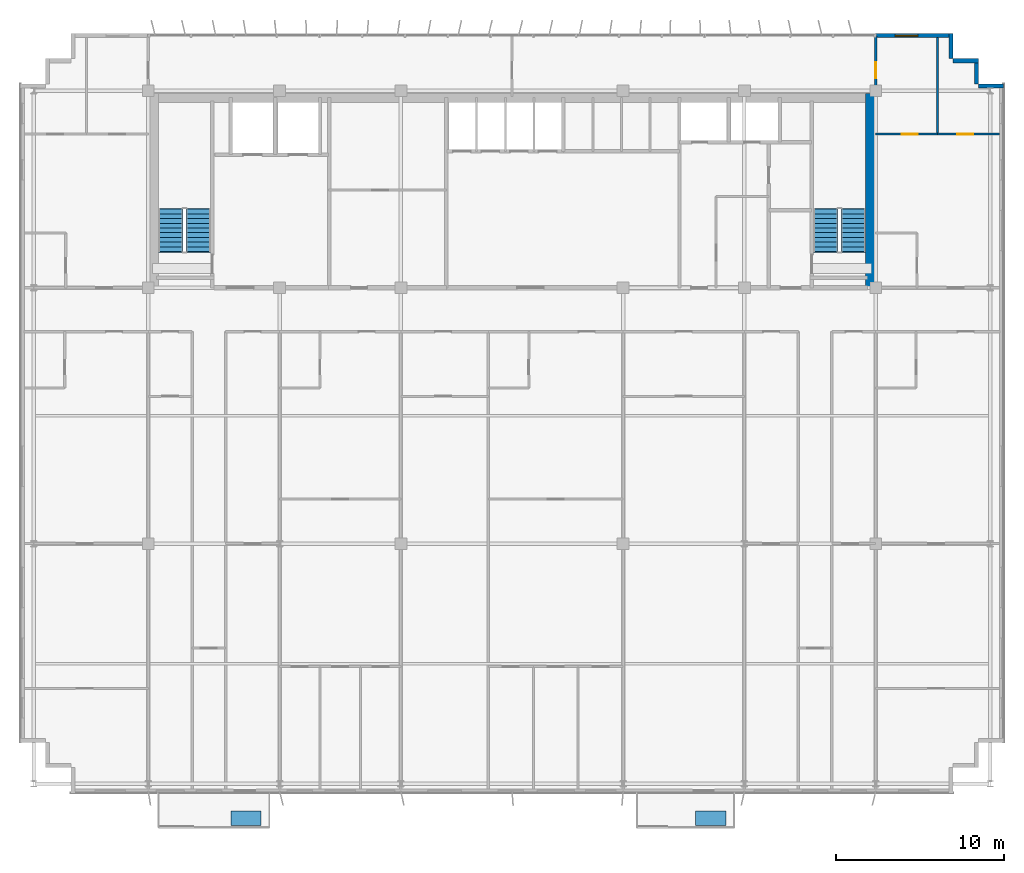
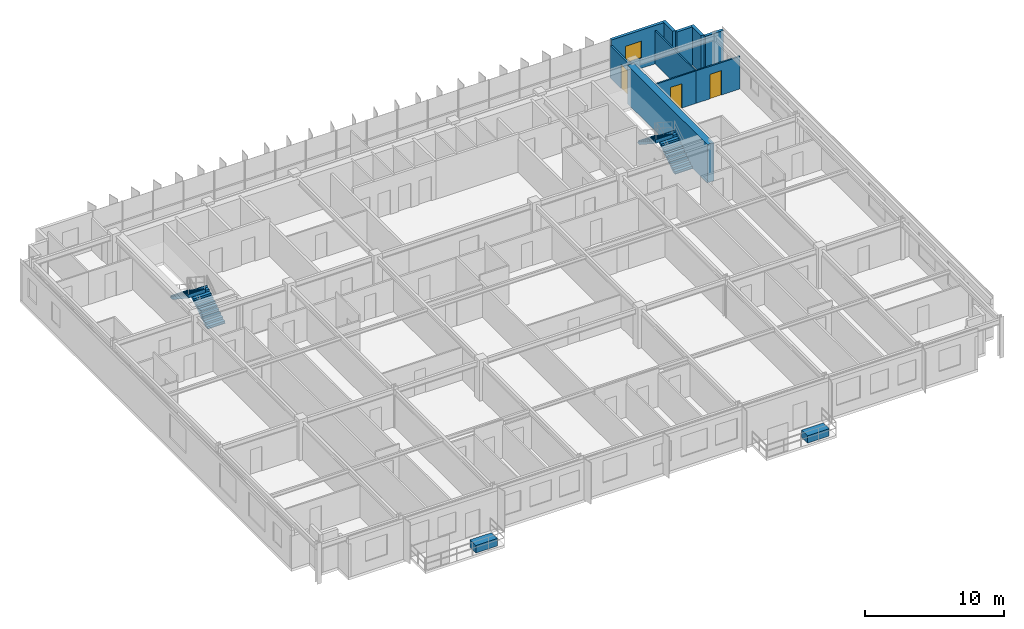
# One storey, part 21 of 23: 10 walls, 4 stair flights, 3 doors, 2 discrete accessories, 1 window, 4 openings, 2 elements without a shape of their own.
"""IFC4 building model written with IfcOpenShell, lengths in metres."""

from ifc_helpers import new_model, si_unit, direction, frame, frame_2d, origin, origin_2d, place, context, subcontext, project, spatial, polyline, rectangle, outline, extrude, source, transform, mapped, material, layer, layer_set, type_object, element, fill, aggregate, save


model = new_model("IFC4")

# Units and contexts
model_context = context("Model", 3, precision=1e-05, world=origin(), true_north=direction((0.0, 1.0)))
body_context = subcontext(model_context, "Body", "Model", "MODEL_VIEW")
ifc_project = project(units=[si_unit("LENGTHUNIT", "METRE"), si_unit("AREAUNIT", "SQUARE_METRE"), si_unit("VOLUMEUNIT", "CUBIC_METRE"), si_unit("PLANEANGLEUNIT", "RADIAN"), si_unit("MASSUNIT", "GRAM", prefix="KILO")], contexts=[model_context])

# Site, building, storey
site_placement = place(None, origin())
site = spatial("IfcSite", under=ifc_project, at=site_placement, CompositionType="ELEMENT")
building_placement = place(site_placement, origin())
building = spatial("IfcBuilding", under=site, at=building_placement, Name="Trelvane Seafront Commons", CompositionType="ELEMENT")
storey_placement = place(building_placement, frame((0.0, 0.0, 212.10009765625)))
storey = spatial("IfcBuildingStorey", under=building, at=storey_placement, Name="L55", CompositionType="ELEMENT", Elevation=212.10009765625)

# Wall, opening, window
ifc_material_1 = material(Name="Precast concrete C40/50", Category="concrete")
ifc_layer_1 = layer(ifc_material_1, 0.239990234375, Name="ARCH-WALL-EXT240")
ifc_layer_set_1 = layer_set([ifc_layer_1], Name="Precast concrete C40/50")
wall_type_1 = type_object("IfcWallType", Name="ARCH-WALL-EXT240", PredefinedType="SOLIDWALL", material=ifc_layer_set_1)
wall_1_placement = place(storey_placement, frame((58.800048828125, 48.3701171875, 0.0), z_axis=(0.0, 0.0, 1.0), x_axis=(1.0, 0.0, 0.0)))
wall_1 = element("IfcWall", 1, at=wall_1_placement, inside=storey, type_object=wall_type_1, Name="EW-L55-NE-1100", PredefinedType="SOLIDWALL", context=body_context, shape_type="SweptSolid", body=[
    extrude(rectangle(XDim=4.5, YDim=0.239990234375, at=frame_2d((2.25, 0.0))), origin(), (0.0, 0.0, 1.0), 3.35986328125),
])
opening_1_placement = place(wall_1_placement, frame((1.14697265625, 0.0, 0.89990234375)))
opening_1 = element("IfcOpeningElement", 2, at=opening_1_placement, cuts=wall_1, Name="Opening W09", PredefinedType="OPENING", context=body_context, shape_type="SweptSolid", body=[
    extrude(rectangle(XDim=1.35009765625, YDim=1.5, at=frame_2d((0.675048828125, 0.75))), frame((0.0, 0.1298828125, 0.0), z_axis=(0.0, -1.0, 0.0), x_axis=(1.0, 0.0, 0.0)), (0.0, 0.0, 1.0), 0.260009765625),
])
ifc_material_2 = material(Name="Low-E coastal double glazing", Category="glass")
window_type = type_object("IfcWindowType", Name="ARCH-WIN-W09", PartitioningType="SINGLE_PANEL", PredefinedType="WINDOW", material=ifc_material_2)
shared_shape_1 = source(origin(), body_context, "Body", "SweptSolid", [
    extrude(rectangle(XDim=1.35009765625, YDim=1.5, at=frame_2d((0.675048828125, 0.75))), frame((0.0, 0.030029296875, 0.0), z_axis=(0.0, -1.0, 0.0), x_axis=(1.0, 0.0, 0.0)), (0.0, 0.0, 1.0), 0.06005859375),
])
window_placement = place(opening_1_placement, origin())
window = element("IfcWindow", 3, at=window_placement, inside=storey, type_object=window_type, Name="WIN-L55-01330", OverallHeight=1.5, OverallWidth=1.35009765625, PartitioningType="SINGLE_PANEL", PredefinedType="WINDOW", context=body_context, shape_type="MappedRepresentation", body=[
    mapped(shared_shape_1, transform((0.0, 0.0, 0.0), x_axis=(1.0, 0.0, 0.0), y_axis=(0.0, 1.0, 0.0), z_axis=(0.0, 0.0, 1.0), scale=1.0)),
])
fill(opening_1, window)

# Walls
for number, where, z_axis, x_axis, name in (
    (4, (63.280029296875, 48.5, 0.0), (0.0, 0.0, 1.0), (0.0, -1.0, 0.0), "EW-L55-01109"),
    (5, (63.39990234375, 46.8798828125, 0.0), (0.0, 0.0, 1.0), (1.0, 0.0, 0.0), "EW-L55-01110"),
    (6, (64.780029296875, 47.0, 0.0), (0.0, 0.0, 1.0), (0.0, -1.0, 0.0), "EW-L55-01111"),
    (7, (64.89990234375, 45.3798828125, 0.0), (0.0, 0.0, 1.0), (1.0, 0.0, 0.0), "EW-L55-01112"),
):
    element("IfcWall", number, at=place(storey_placement, frame(where, z_axis=z_axis, x_axis=x_axis)), inside=storey, type_object=wall_type_1, Name=name, PredefinedType="SOLIDWALL", context=body_context, shape_type="SweptSolid", body=[
        extrude(rectangle(XDim=1.5, YDim=0.239990234375, at=frame_2d((0.75, 0.0))), origin(), (0.0, 0.0, 1.0), 3.35986328125),
    ])

# Wall, opening, door
ifc_material_3 = material(Name="Gypsum Drywall Acoustic Partition")
ifc_layer_2 = layer(ifc_material_3, 0.1201171875, Name="ARCH-WALL-PART120")
ifc_layer_set_2 = layer_set([ifc_layer_2], Name="Gypsum Drywall Acoustic Partition")
wall_type_2 = type_object("IfcWallType", Name="ARCH-WALL-PART120", PredefinedType="PARTITIONING", material=ifc_layer_set_2)
wall_2_placement = place(storey_placement, frame((58.800048828125, 42.52001953125, 0.0), z_axis=(0.0, 0.0, 1.0), x_axis=(1.0, 0.0, 0.0)))
wall_2 = element("IfcWall", 8, at=wall_2_placement, inside=storey, type_object=wall_type_2, Name="W-L55-NE-KB1-044", PredefinedType="PARTITIONING", context=body_context, shape_type="SweptSolid", body=[
    extrude(rectangle(XDim=3.675048828125, YDim=0.1201171875, at=frame_2d((1.83740234375, 0.0))), origin(), (0.0, 0.0, 1.0), 2.85986328125),
])
opening_2_placement = place(wall_2_placement, frame((1.55908203125, 0.0, 0.0)))
opening_2 = element("IfcOpeningElement", 9, at=opening_2_placement, cuts=wall_2, Name="Opening D-L55-24", PredefinedType="OPENING", context=body_context, shape_type="SweptSolid", body=[
    extrude(rectangle(XDim=0.949951171875, YDim=2.14990234375, at=frame_2d((0.47509765625, 1.074951171875))), frame((0.0, 0.070068359375, 0.0), z_axis=(0.0, -1.0, 0.0), x_axis=(1.0, 0.0, 0.0)), (0.0, 0.0, 1.0), 0.14013671875),
])
ifc_material_4 = material(Name="Acoustic timber door leaf", Category="wood")
door_type_1 = type_object("IfcDoorType", Name="ARCH-DR-INT950", OperationType="NOTDEFINED", PredefinedType="DOOR", material=ifc_material_4)
shared_shape_2 = source(origin(), body_context, "Body", "SweptSolid", [
    extrude(rectangle(XDim=0.949951171875, YDim=2.14990234375, at=frame_2d((0.47509765625, 1.074951171875))), frame((0.0, 0.02490234375, 0.0), z_axis=(0.0, -1.0, 0.0), x_axis=(1.0, 0.0, 0.0)), (0.0, 0.0, 1.0), 0.050048828125),
])
door_1_placement = place(opening_2_placement, origin())
door_1 = element("IfcDoor", 10, at=door_1_placement, inside=storey, type_object=door_type_1, Name="L55 Door 24", OperationType="SINGLE_SWING_RIGHT", OverallHeight=2.14990234375, OverallWidth=0.949951171875, PredefinedType="DOOR", context=body_context, shape_type="MappedRepresentation", body=[
    mapped(shared_shape_2, transform((0.0, 0.0, 0.0), x_axis=(1.0, 0.0, 0.0), y_axis=(0.0, 1.0, 0.0), z_axis=(0.0, 0.0, 1.0), scale=1.0)),
])
fill(opening_2, door_1)

wall_3_placement = place(storey_placement, frame((62.47509765625, 42.52001953125, 0.0), z_axis=(0.0, 0.0, 1.0), x_axis=(1.0, 0.0, 0.0)))
wall_3 = element("IfcWall", 11, at=wall_3_placement, inside=storey, type_object=wall_type_2, Name="W-L55-NE-KB2-045", PredefinedType="PARTITIONING", context=body_context, shape_type="SweptSolid", body=[
    extrude(rectangle(XDim=3.6748046875, YDim=0.1201171875, at=frame_2d((1.83740234375, 0.0))), origin(), (0.0, 0.0, 1.0), 2.85986328125),
])
opening_3_placement = place(wall_3_placement, frame((1.166015625, 0.0, 0.0)))
opening_3 = element("IfcOpeningElement", 12, at=opening_3_placement, cuts=wall_3, Name="Opening D-L55-25", PredefinedType="OPENING", context=body_context, shape_type="SweptSolid", body=[
    extrude(rectangle(XDim=0.949951171875, YDim=2.14990234375, at=frame_2d((0.47509765625, 1.074951171875))), frame((0.0, 0.070068359375, 0.0), z_axis=(0.0, -1.0, 0.0), x_axis=(1.0, 0.0, 0.0)), (0.0, 0.0, 1.0), 0.14013671875),
])
door_2_placement = place(opening_3_placement, origin())
door_2 = element("IfcDoor", 13, at=door_2_placement, inside=storey, type_object=door_type_1, Name="L55 Door 25", OperationType="SINGLE_SWING_LEFT", OverallHeight=2.14990234375, OverallWidth=0.949951171875, PredefinedType="DOOR", context=body_context, shape_type="MappedRepresentation", body=[
    mapped(shared_shape_2, transform((0.0, 0.0, 0.0), x_axis=(1.0, 0.0, 0.0), y_axis=(0.0, 1.0, 0.0), z_axis=(0.0, 0.0, 1.0), scale=1.0)),
])
fill(opening_3, door_2)

# Wall
wall_4_placement = place(storey_placement, frame((62.47509765625, 42.52001953125, 0.0), z_axis=(0.0, 0.0, 1.0), x_axis=(0.0, 1.0, 0.0)))
element("IfcWall", 14, at=wall_4_placement, inside=storey, type_object=wall_type_2, Name="W-L55-NE-KBDV-046", PredefinedType="PARTITIONING", context=body_context, shape_type="SweptSolid", body=[
    extrude(rectangle(XDim=5.739990234375, YDim=0.1201171875, at=frame_2d((2.8701171875, 0.0))), origin(), (0.0, 0.0, 1.0), 2.909912109375),
])

# Wall, opening, door
ifc_layer_3 = layer(ifc_material_3, 0.14990234375, Name="ARCH-WALL-PART150")
ifc_layer_set_3 = layer_set([ifc_layer_3], Name="Gypsum Drywall Acoustic Partition")
wall_type_3 = type_object("IfcWallType", Name="ARCH-WALL-PART150", PredefinedType="PARTITIONING", material=ifc_layer_set_3)
wall_5_placement = place(storey_placement, frame((58.800048828125, 44.75, 0.0), z_axis=(0.0, 0.0, 1.0), x_axis=(0.0, 1.0, 0.0)))
wall_5 = element("IfcWall", 15, at=wall_5_placement, inside=storey, type_object=wall_type_3, Name="W-L55-N-LINK-E-050", PredefinedType="PARTITIONING", context=body_context, shape_type="SweptSolid", body=[
    extrude(rectangle(XDim=3.610107421875, YDim=0.14990234375, at=frame_2d((1.80517578125, 0.0))), origin(), (0.0, 0.0, 1.0), 2.85986328125),
])
opening_4_placement = place(wall_5_placement, frame((1.10009765625, 0.0, 0.0)))
opening_4 = element("IfcOpeningElement", 16, at=opening_4_placement, cuts=wall_5, Name="Opening FD-L55-29", PredefinedType="OPENING", context=body_context, shape_type="SweptSolid", body=[
    extrude(rectangle(XDim=0.949951171875, YDim=2.14990234375, at=frame_2d((0.47509765625, 1.074951171875))), frame((0.0, 0.0849609375, 0.0), z_axis=(0.0, -1.0, 0.0), x_axis=(1.0, 0.0, 0.0)), (0.0, 0.0, 1.0), 0.169921875),
])
ifc_material_5 = material(Name="Powder-coated aluminium frame", Category="aluminium")
door_type_2 = type_object("IfcDoorType", Name="ARCH-DR-FD60-950", OperationType="NOTDEFINED", PredefinedType="DOOR", material=ifc_material_5)
door_3_placement = place(opening_4_placement, origin())
door_3 = element("IfcDoor", 17, at=door_3_placement, inside=storey, type_object=door_type_2, Name="L55 Door 29", OperationType="SINGLE_SWING_LEFT", OverallHeight=2.14990234375, OverallWidth=0.949951171875, PredefinedType="DOOR", context=body_context, shape_type="MappedRepresentation", body=[
    mapped(shared_shape_2, transform((0.0, 0.0, 0.0), x_axis=(1.0, 0.0, 0.0), y_axis=(0.0, 1.0, 0.0), z_axis=(0.0, 0.0, 1.0), scale=1.0)),
])
fill(opening_4, door_3)

# Wall
ifc_material_6 = material(Name="Concrete C50/60", Category="concrete")
ifc_layer_4 = layer(ifc_material_6, 0.550048828125, Name="STR-WALL-CORE550")
ifc_layer_set_4 = layer_set([ifc_layer_4], Name="Concrete C50/60")
wall_type_4 = type_object("IfcWallType", Name="STR-WALL-CORE550", PredefinedType="SHEAR", material=ifc_layer_set_4)
wall_6_placement = place(storey_placement, frame((58.47509765625, 33.39990234375, 0.0), z_axis=(0.0, 0.0, 1.0), x_axis=(0.0, 1.0, 0.0)))
element("IfcWall", 18, at=wall_6_placement, inside=storey, type_object=wall_type_4, Name="W-L55-CE-END-003", PredefinedType="SHEAR", context=body_context, shape_type="SweptSolid", body=[
    extrude(rectangle(XDim=11.550048828125, YDim=0.550048828125, at=frame_2d((5.77490234375, 0.0))), origin(), (0.0, 0.0, 1.0), 3.35986328125),
])

# Stair, stair flights
ifc_material_7 = material(Name="Concrete C40/50", Category="concrete")
stair_type_1 = type_object("IfcStairType", Name="ARCH-STR-ST-1-R20-180", PredefinedType="HALF_TURN_STAIR", material=ifc_material_7)
stair_1_placement = place(storey_placement, origin())
stair_1 = element("IfcStair", 19, at=stair_1_placement, inside=storey, type_object=stair_type_1, Name="L55 West Protected Firefighting Exit Stair ST-1", PredefinedType="HALF_TURN_STAIR")
stair_flight_type_1 = type_object("IfcStairFlightType", Name="ARCH-FLG-ST-1-R20-180", PredefinedType="STRAIGHT", material=ifc_material_7)
shared_shape_3 = source(origin(), body_context, "Body", "SweptSolid", [
    extrude(outline(polyline([(-0.050048828125, -0.02001953125), (-0.050048828125, 0.0), (0.0, 0.0), (0.0, 0.179931640625), (0.280029296875, 0.179931640625), (0.280029296875, 0.360107421875), (0.56005859375, 0.360107421875), (0.56005859375, 0.5400390625), (0.840087890625, 0.5400390625), (0.840087890625, 0.719970703125), (1.1201171875, 0.719970703125), (1.1201171875, 0.89990234375), (1.39990234375, 0.89990234375), (1.39990234375, 1.080078125), (1.679931640625, 1.080078125), (1.679931640625, 1.260009765625), (1.9599609375, 1.260009765625), (1.9599609375, 1.43994140625), (2.239990234375, 1.43994140625), (2.239990234375, 1.6201171875), (2.52001953125, 1.6201171875), (2.52001953125, 1.800048828125), (2.570068359375, 1.800048828125), (2.570068359375, 1.650146484375), (2.52001953125, 1.44189453125), (0.277099609375, -0.02001953125), (-0.050048828125, -0.02001953125)])), frame((0.0, 0.72509765625, 0.0), z_axis=(0.0, -1.0, 0.0), x_axis=(1.0, 0.0, 0.0)), (0.0, 0.0, 1.0), 1.449951171875),
])
stair_flight_1_placement = place(storey_placement, frame((18.574951171875, 35.550048828125, 0.0), z_axis=(0.0, 0.0, 1.0), x_axis=(0.0, 1.0, 0.0)))
stair_flight_1 = element("IfcStairFlight", 20, at=stair_flight_1_placement, type_object=stair_flight_type_1, Name="ST-1 flight 1", NumberOfRisers=10, NumberOfTreads=9, PredefinedType="STRAIGHT", RiserHeight=0.18, TreadLength=0.28, context=body_context, shape_type="MappedRepresentation", body=[
    mapped(shared_shape_3, transform((0.0, 0.0, 0.0), x_axis=(1.0, 0.0, 0.0), y_axis=(0.0, 1.0, 0.0), z_axis=(0.0, 0.0, 1.0), scale=1.0)),
])
stair_flight_2_placement = place(storey_placement, frame((16.925048828125, 38.070068359375, 1.7998046875), z_axis=(0.0, 0.0, 1.0), x_axis=(0.0, -1.0, 0.0)))
stair_flight_2 = element("IfcStairFlight", 21, at=stair_flight_2_placement, type_object=stair_flight_type_1, Name="ST-1 flight 2", NumberOfRisers=10, NumberOfTreads=9, PredefinedType="STRAIGHT", RiserHeight=0.18, TreadLength=0.28, context=body_context, shape_type="MappedRepresentation", body=[
    mapped(shared_shape_3, transform((0.0, 0.0, 0.0), x_axis=(1.0, 0.0, 0.0), y_axis=(0.0, 1.0, 0.0), z_axis=(0.0, 0.0, 1.0), scale=1.0)),
])
aggregate(stair_1, [stair_flight_1, stair_flight_2])

stair_type_2 = type_object("IfcStairType", Name="ARCH-STR-ST-2-R20-180", PredefinedType="HALF_TURN_STAIR", material=ifc_material_7)
stair_2_placement = place(storey_placement, origin())
stair_2 = element("IfcStair", 22, at=stair_2_placement, inside=storey, type_object=stair_type_2, Name="L55 East Protected Firefighting Exit Stair ST-2", PredefinedType="HALF_TURN_STAIR")
stair_flight_type_2 = type_object("IfcStairFlightType", Name="ARCH-FLG-ST-2-R20-180", PredefinedType="STRAIGHT", material=ifc_material_7)
stair_flight_3_placement = place(storey_placement, frame((57.47509765625, 35.550048828125, 0.0), z_axis=(0.0, 0.0, 1.0), x_axis=(0.0, 1.0, 0.0)))
stair_flight_3 = element("IfcStairFlight", 23, at=stair_flight_3_placement, type_object=stair_flight_type_2, Name="ST-2 flight 1", NumberOfRisers=10, NumberOfTreads=9, PredefinedType="STRAIGHT", RiserHeight=0.18, TreadLength=0.28, context=body_context, shape_type="MappedRepresentation", body=[
    mapped(shared_shape_3, transform((0.0, 0.0, 0.0), x_axis=(1.0, 0.0, 0.0), y_axis=(0.0, 1.0, 0.0), z_axis=(0.0, 0.0, 1.0), scale=1.0)),
])
stair_flight_4_placement = place(storey_placement, frame((55.824951171875, 38.070068359375, 1.7998046875), z_axis=(0.0, 0.0, 1.0), x_axis=(0.0, -1.0, 0.0)))
stair_flight_4 = element("IfcStairFlight", 24, at=stair_flight_4_placement, type_object=stair_flight_type_2, Name="ST-2 flight 2", NumberOfRisers=10, NumberOfTreads=9, PredefinedType="STRAIGHT", RiserHeight=0.18, TreadLength=0.28, context=body_context, shape_type="MappedRepresentation", body=[
    mapped(shared_shape_3, transform((0.0, 0.0, 0.0), x_axis=(1.0, 0.0, 0.0), y_axis=(0.0, 1.0, 0.0), z_axis=(0.0, 0.0, 1.0), scale=1.0)),
])
aggregate(stair_2, [stair_flight_3, stair_flight_4])

# Discrete accessories
discrete_accessory_type = type_object("IfcDiscreteAccessoryType", Name="ARCH-ACC-PLANTER", PredefinedType="USERDEFINED", material=ifc_material_1)
shared_shape_4 = source(origin(), body_context, "Body", "SweptSolid", [
    extrude(rectangle(XDim=1.800048828125, YDim=0.85009765625, at=origin_2d()), origin(), (0.0, 0.0, 1.0), 0.64990234375),
])
for number, where, z_axis, x_axis, name in (
    (25, (21.39990234375, 1.89990234375, 0.0), (0.0, 0.0, 1.0), (1.0, 0.0, 0.0), "PLN-L55-B0-059"),
    (26, (49.0, 1.89990234375, 0.0), (0.0, 0.0, 1.0), (1.0, 0.0, 0.0), "PLN-L55-B1-060"),
):
    element("IfcDiscreteAccessory", number, at=place(storey_placement, frame(where, z_axis=z_axis, x_axis=x_axis)), inside=storey, type_object=discrete_accessory_type, Name=name, ObjectType="BALCONY TREE PLANTER", PredefinedType="USERDEFINED", context=body_context, shape_type="MappedRepresentation", body=[
        mapped(shared_shape_4, transform((0.0, 0.0, 0.0), x_axis=(1.0, 0.0, 0.0), y_axis=(0.0, 1.0, 0.0), z_axis=(0.0, 0.0, 1.0), scale=1.0)),
    ])

save(model, "model.ifc")
